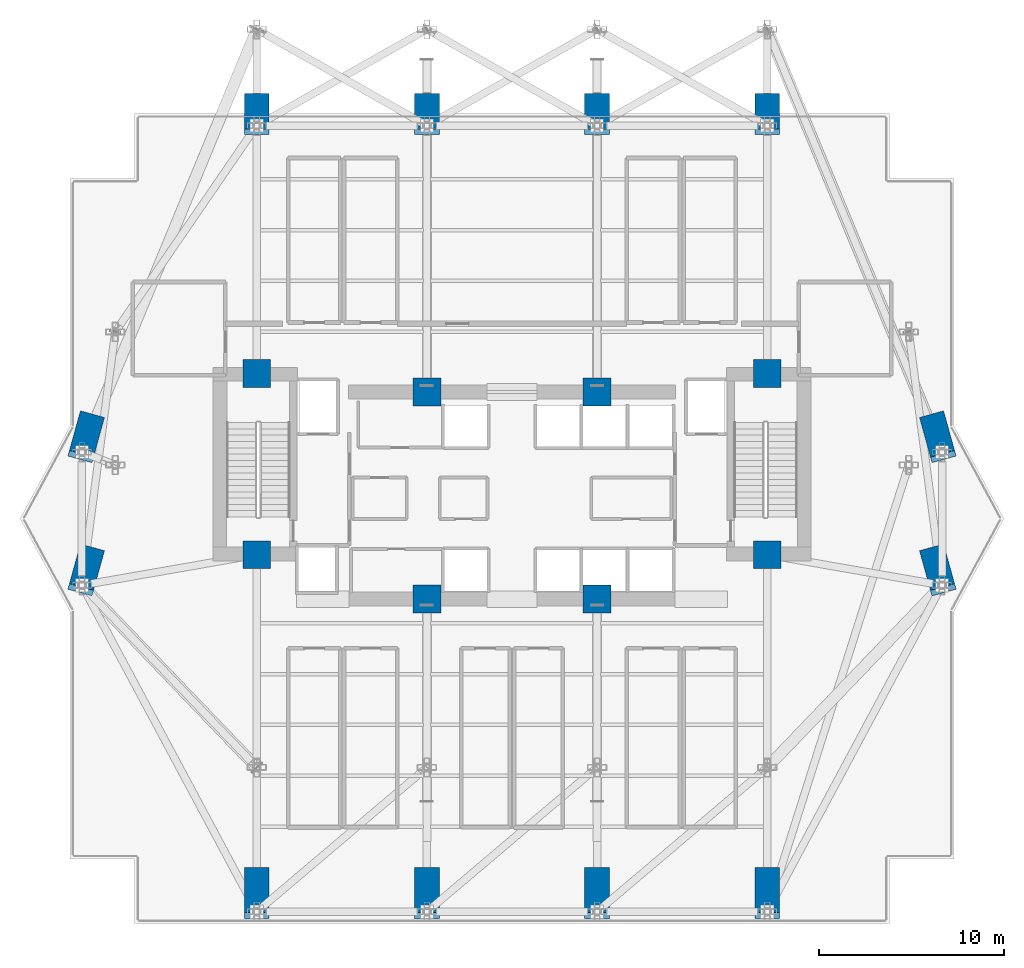
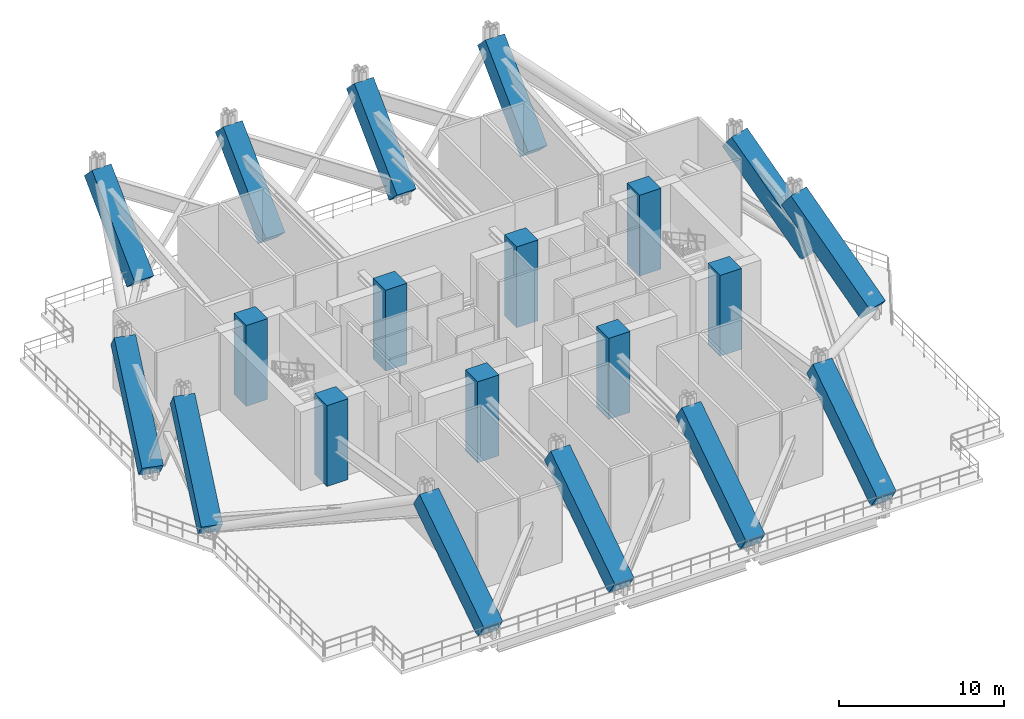
# One storey, part 1 of 18: 20 columns.
"""IFC4 building model written with IfcOpenShell, lengths in metres."""

import ifcopenshell
import ifcopenshell.guid

model = None  # the IFC model being written
_history = None  # IfcOwnerHistory: only IFC2X3 demands one
_inside = {}  # id of a spatial element -> (the spatial element, [elements in it])
_under = {}  # id of a project, library or spatial element -> (it, [spatial elements below it])
_declared = {}  # id of a project -> (the project, [libraries it declares])
_typed = {}  # id of a type object -> (the type object, [elements of that type])
_made_of = {}  # id of a material, layer set ... -> (it, [elements and type objects made of it])


def new_model(schema):
    """Start an empty IFC model of exactly this schema.

    Asked for "IFC4X3", IfcOpenShell would pick the latest addendum, in which some entities
    have other attributes; the version numbers below select the first issue.
    IFC2X3 requires an IfcOwnerHistory on every rooted entity: one is made here for all.
    """
    global model, _history
    if schema == "IFC4X3":
        model = ifcopenshell.file(schema_version=(4, 3, 0, 0))
    else:
        model = ifcopenshell.file(schema=schema)
    _inside.clear()
    _under.clear()
    _declared.clear()
    _typed.clear()
    _made_of.clear()
    _history = None
    if model.schema == "IFC2X3":
        org = make("IfcOrganization", Name="unknown")
        user = make(
            "IfcPersonAndOrganization",
            ThePerson=make("IfcPerson", FamilyName="unknown"),
            TheOrganization=org,
        )
        app = make(
            "IfcApplication",
            ApplicationDeveloper=org,
            Version="unknown",
            ApplicationFullName="unknown",
            ApplicationIdentifier="unknown",
        )
        _history = make(
            "IfcOwnerHistory",
            OwningUser=user,
            OwningApplication=app,
            ChangeAction="ADDED",
            CreationDate=0,
        )
    return model


def make(cls, **values):
    """One entity of the class cls with the attributes given. An attribute that is None is left unset."""
    return model.create_entity(
        cls, **{name: value for name, value in values.items() if value is not None}
    )


def rooted(cls, **values):
    """An entity with a GlobalId (a new one), such as an element, a storey or a relation."""
    return make(cls, GlobalId=ifcopenshell.guid.new(), OwnerHistory=_history, **values)


def si_unit(unit_type, name, prefix=None):
    """IfcSIUnit, for example si_unit("LENGTHUNIT", "METRE", prefix="MILLI")."""
    return make("IfcSIUnit", UnitType=unit_type, Prefix=prefix, Name=name)


def assignment(units):
    """IfcUnitAssignment: the units of a project."""
    return None if units is None else make("IfcUnitAssignment", Units=units)


def point(xyz):
    """IfcCartesianPoint."""
    return None if xyz is None else make("IfcCartesianPoint", Coordinates=xyz)


def direction(xyz):
    """IfcDirection."""
    return None if xyz is None else make("IfcDirection", DirectionRatios=xyz)


def frame(location, z_axis=None, x_axis=None):
    """IfcAxis2Placement3D, a coordinate frame: its origin and axes. An axis left out is left unset."""
    return make(
        "IfcAxis2Placement3D",
        Location=point(location),
        Axis=direction(z_axis),
        RefDirection=direction(x_axis),
    )


def frame_2d(location, x_axis=None):
    """IfcAxis2Placement2D, a coordinate frame in the plane: its origin and x axis."""
    return make(
        "IfcAxis2Placement2D", Location=point(location), RefDirection=direction(x_axis)
    )


def origin():
    """The frame at (0, 0, 0) with its axes left unset."""
    return frame((0.0, 0.0, 0.0))


def origin_2d():
    """The frame at (0, 0) in the plane with its x axis left unset."""
    return frame_2d((0.0, 0.0))


def place(relative_to, where):
    """IfcLocalPlacement: puts the frame where relative to a parent placement (None: the world)."""
    return make(
        "IfcLocalPlacement", PlacementRelTo=relative_to, RelativePlacement=where
    )


def context(
    kind, dimensions, precision=None, world=None, true_north=None, identifier=None
):
    """IfcGeometricRepresentationContext, for example the 3D "Model" context."""
    return make(
        "IfcGeometricRepresentationContext",
        ContextIdentifier=identifier,
        ContextType=kind,
        CoordinateSpaceDimension=dimensions,
        Precision=precision,
        WorldCoordinateSystem=world,
        TrueNorth=true_north,
    )


def subcontext(parent, identifier, kind, view, scale=None):
    """IfcGeometricRepresentationSubContext, for example "Body" below "Model"."""
    return make(
        "IfcGeometricRepresentationSubContext",
        ContextIdentifier=identifier,
        ContextType=kind,
        ParentContext=parent,
        TargetScale=scale,
        TargetView=view,
    )


def project(units=None, contexts=None):
    """IfcProject with its units and contexts."""
    return rooted(
        "IfcProject",
        Name="project",
        RepresentationContexts=contexts,
        UnitsInContext=assignment(units),
    )


def spatial(cls, under=None, at=None, **own):
    """A site, building, storey or space (cls), placed at a placement, below another one or the project."""
    s = rooted(cls, ObjectPlacement=at, **own)
    if under is not None:
        _under.setdefault(under.id(), (under, []))[1].append(s)
    return s


def profile(cls, at=None, kind="AREA", **sizes):
    """A parametric profile (cls). Its sizes go by their IFC names, for example OverallWidth=200.0."""
    return make(cls, ProfileType=kind, Position=at, **sizes)


def rectangle(**sizes):
    """IfcRectangleProfileDef."""
    return profile("IfcRectangleProfileDef", **sizes)


def extrude(swept, where, along, depth):
    """IfcExtrudedAreaSolid: the profile swept, set in the frame where, extruded along a direction by depth."""
    return make(
        "IfcExtrudedAreaSolid",
        SweptArea=swept,
        Position=where,
        ExtrudedDirection=direction(along),
        Depth=depth,
    )


def shape(context_of_items, identifier, shape_type, items):
    """IfcShapeRepresentation: the items that make up one representation, for example the "Body"."""
    return make(
        "IfcShapeRepresentation",
        ContextOfItems=context_of_items,
        RepresentationIdentifier=identifier,
        RepresentationType=shape_type,
        Items=items,
    )


def material(Name=None, Category=None):
    """IfcMaterial."""
    return make("IfcMaterial", Name=Name, Category=Category)


def material_profile(
    of_material, cross_section, Name=None, Category=None, Priority=None
):
    """IfcMaterialProfile: a cross section and its material."""
    return make(
        "IfcMaterialProfile",
        Name=Name,
        Material=of_material,
        Profile=cross_section,
        Priority=Priority,
        Category=Category,
    )


def profile_set(profiles, Name=None, composite=None):
    """IfcMaterialProfileSet."""
    return make(
        "IfcMaterialProfileSet",
        Name=Name,
        MaterialProfiles=profiles,
        CompositeProfile=composite,
    )


def made_of(thing, what):
    """Note that an element or type object is made of a material, layer set ...; save() writes the relation."""
    if what is not None:
        _made_of.setdefault(what.id(), (what, []))[1].append(thing)
    return thing


def type_object(cls, material=None, **own):
    """A type object (cls), such as IfcWallType, which elements share."""
    return made_of(rooted(cls, **own), material)


def element(
    cls,
    number,
    at=None,
    inside=None,
    cuts=None,
    type_object=None,
    material=None,
    context=None,
    identifier="Body",
    shape_type=None,
    held_by="IfcProductDefinitionShape",
    body=None,
    shapes=None,
    **own,
):
    """One element of the class cls, such as IfcWall. Its Tag is "e" and its number.

    at: its placement. inside: the storey or other place that contains it. cuts: it is an
    opening in that element (IfcRelVoidsElement). A single representation is given by context,
    identifier, shape_type and body (its items); several are given by shapes. held_by: the class
    of the entity that holds the representations. save() writes the other relations.
    """
    e = rooted(cls, Tag="e%d" % number, ObjectPlacement=at, **own)
    if body is not None:
        shapes = [shape(context, identifier, shape_type, body)]
    if shapes is not None:
        e.Representation = make(held_by, Representations=shapes)
    if inside is not None:
        _inside.setdefault(inside.id(), (inside, []))[1].append(e)
    if cuts is not None:
        rooted(
            "IfcRelVoidsElement", RelatingBuildingElement=cuts, RelatedOpeningElement=e
        )
    if type_object is not None:
        _typed.setdefault(type_object.id(), (type_object, []))[1].append(e)
    return made_of(e, material)


def aggregate(whole, parts):
    """IfcRelAggregates: a whole, such as a stair, and the parts it consists of."""
    return rooted("IfcRelAggregates", RelatingObject=whole, RelatedObjects=parts)


def save(model, path):
    """Write the relations noted so far, then the file.

    IfcRelAggregates (storeys below a building ...), IfcRelContainedInSpatialStructure (elements
    in a storey), IfcRelDefinesByType, IfcRelAssociatesMaterial and IfcRelDeclares: one each for
    every whole, place, type object, material and project.
    """
    for whole, parts in _under.values():
        aggregate(whole, parts)
    for where, things in _inside.values():
        rooted(
            "IfcRelContainedInSpatialStructure",
            RelatedElements=things,
            RelatingStructure=where,
        )
    for kind, things in _typed.values():
        rooted("IfcRelDefinesByType", RelatedObjects=things, RelatingType=kind)
    for what, things in _made_of.values():
        rooted("IfcRelAssociatesMaterial", RelatedObjects=things, RelatingMaterial=what)
    for by, libraries in _declared.values():
        rooted("IfcRelDeclares", RelatingContext=by, RelatedDefinitions=libraries)
    model.write(path)


model = new_model("IFC4")

# Units and contexts
model_context = context("Model", 3, precision=1e-05, world=origin(), true_north=direction((0.0, 1.0)))
body_context = subcontext(model_context, "Body", "Model", "MODEL_VIEW")
ifc_project = project(units=[si_unit("LENGTHUNIT", "METRE"), si_unit("AREAUNIT", "SQUARE_METRE"), si_unit("VOLUMEUNIT", "CUBIC_METRE"), si_unit("PLANEANGLEUNIT", "RADIAN"), si_unit("MASSUNIT", "GRAM", prefix="KILO")], contexts=[model_context])

# Site, building, storey
site_placement = place(None, origin())
site = spatial("IfcSite", under=ifc_project, at=site_placement, CompositionType="ELEMENT")
building_placement = place(site_placement, origin())
building = spatial("IfcBuilding", under=site, at=building_placement, Name="Zuhayl Quay Hotel", CompositionType="ELEMENT")
storey_placement = place(building_placement, frame((0.0, 0.0, 162.199951171875)))
storey = spatial("IfcBuildingStorey", under=building, at=storey_placement, Name="L41", CompositionType="ELEMENT", Elevation=162.199951171875)

# Columns
ifc_material = material(Name="Concrete C70/85", Category="concrete")
ifc_material_profile_1 = material_profile(ifc_material, rectangle(XDim=1.5, YDim=1.5, at=origin_2d()), Name="RC1500X1500")
ifc_profile_set_1 = profile_set([ifc_material_profile_1], Name="Concrete C70/85")
column_type_1 = type_object("IfcColumnType", Name="CL_CC1_1500", PredefinedType="COLUMN", material=ifc_profile_set_1)
for number, where, z_axis, x_axis, name in (
    (1, (-13.800048828125, 14.35009765625, 0.0), (0.0, 0.0, 1.0), (1.0, 0.0, 0.0), "L41 Core Column CC_NW"),
    (2, (-4.60009765625, 13.35009765625, 0.0), (0.0, 0.0, 1.0), (1.0, 0.0, 0.0), "L41 Core Column CC_CNW"),
    (3, (4.60009765625, 13.35009765625, 0.0), (0.0, 0.0, 1.0), (1.0, 0.0, 0.0), "L41 Core Column CC_CNE"),
    (4, (13.800048828125, 14.35009765625, 0.0), (0.0, 0.0, 1.0), (1.0, 0.0, 0.0), "L41 Core Column CC_NE"),
    (5, (-13.800048828125, 4.550048828125, 0.0), (0.0, 0.0, 1.0), (1.0, 0.0, 0.0), "L41 Core Column CC_SW"),
    (6, (-4.60009765625, 2.14990234375, 0.0), (0.0, 0.0, 1.0), (1.0, 0.0, 0.0), "L41 Core Column CC_CSW"),
    (7, (4.60009765625, 2.14990234375, 0.0), (0.0, 0.0, 1.0), (1.0, 0.0, 0.0), "L41 Core Column CC_CSE"),
    (8, (13.800048828125, 4.550048828125, 0.0), (0.0, 0.0, 1.0), (1.0, 0.0, 0.0), "L41 Core Column CC_SE"),
):
    element("IfcColumn", number, at=place(storey_placement, frame(where, z_axis=z_axis, x_axis=x_axis)), inside=storey, type_object=column_type_1, Name=name, PredefinedType="COLUMN", context=body_context, shape_type="SweptSolid", body=[
        extrude(rectangle(XDim=1.5, YDim=1.5, at=origin_2d()), origin(), (0.0, 0.0, 1.0), 6.0),
    ])
ifc_material_profile_2 = material_profile(ifc_material, rectangle(XDim=1.35009765625, YDim=1.35009765625, at=origin_2d()), Name="RC1350X1350")
ifc_profile_set_2 = profile_set([ifc_material_profile_2], Name="Concrete C70/85")
column_type_2 = type_object("IfcColumnType", Name="CL_MC2_1350", PredefinedType="COLUMN", material=ifc_profile_set_2)
for number, where, z_axis, x_axis, name in (
    (9, (-13.800048828125, -14.75, 0.429931640625), (0.0, 0.834997777207, 0.550253316264), (-1.0, 0.0, 0.0), "L41 Raked Mega-Column MC_S1"),
    (10, (-4.60009765625, -14.75, 0.429931640625), (0.0, 0.834997777207, 0.550253316264), (-1.0, 0.0, 0.0), "L41 Raked Mega-Column MC_S2"),
    (11, (4.60009765625, -14.75, 0.429931640625), (0.0, 0.834997777207, 0.550253316264), (-1.0, 0.0, 0.0), "L41 Raked Mega-Column MC_S3"),
    (12, (13.800048828125, -14.75, 0.429931640625), (0.0, 0.834997777207, 0.550253316264), (-1.0, 0.0, 0.0), "L41 Raked Mega-Column MC_S4"),
):
    element("IfcColumn", number, at=place(storey_placement, frame(where, z_axis=z_axis, x_axis=x_axis)), inside=storey, type_object=column_type_2, Name=name, PredefinedType="COLUMN", context=body_context, shape_type="SweptSolid", body=[
        extrude(rectangle(XDim=1.35009765625, YDim=1.35009765625, at=origin_2d()), origin(), (0.0, 0.0, 1.0), 9.34130859375),
    ])
for number, where, z_axis, x_axis, name in (
    (13, (-13.800048828125, 27.75, 0.429931640625), (0.0, 0.711185292748, 0.703004608363), (-1.0, 0.0, 0.0), "L41 Raked Mega-Column MC_N1"),
    (14, (-4.60009765625, 27.75, 0.429931640625), (0.0, 0.711185292748, 0.703004608363), (-1.0, 0.0, 0.0), "L41 Raked Mega-Column MC_N2"),
    (15, (4.60009765625, 27.75, 0.429931640625), (0.0, 0.711185292748, 0.703004608363), (-1.0, 0.0, 0.0), "L41 Raked Mega-Column MC_N3"),
    (16, (13.800048828125, 27.75, 0.429931640625), (0.0, 0.711185292748, 0.703004608363), (-1.0, 0.0, 0.0), "L41 Raked Mega-Column MC_N4"),
):
    element("IfcColumn", number, at=place(storey_placement, frame(where, z_axis=z_axis, x_axis=x_axis)), inside=storey, type_object=column_type_2, Name=name, PredefinedType="COLUMN", context=body_context, shape_type="SweptSolid", body=[
        extrude(rectangle(XDim=1.35009765625, YDim=1.35009765625, at=origin_2d()), origin(), (0.0, 0.0, 1.0), 7.311767578125),
    ])
for number, where, z_axis, x_axis, name in (
    (17, (-23.25, 2.89990234375, 0.429931640625), (0.212268755882, 0.766505270122, 0.606144905242), (-0.963728159847, 0.266885806887, 0.0), "L41 Raked Mega-Column MC_W1"),
    (18, (-23.25, 10.10009765625, 0.429931640625), (0.212268755882, 0.766505270122, 0.606144905242), (-0.963728159847, 0.266885806887, 0.0), "L41 Raked Mega-Column MC_W2"),
    (19, (23.25, 2.89990234375, 0.429931640625), (-0.212268755882, 0.766505270122, 0.606144905242), (-0.963728159847, -0.266885806887, 0.0), "L41 Raked Mega-Column MC_E1"),
    (20, (23.25, 10.10009765625, 0.429931640625), (-0.212268755882, 0.766505270122, 0.606144905242), (-0.963728159847, -0.266885806887, 0.0), "L41 Raked Mega-Column MC_E2"),
):
    element("IfcColumn", number, at=place(storey_placement, frame(where, z_axis=z_axis, x_axis=x_axis)), inside=storey, type_object=column_type_2, Name=name, PredefinedType="COLUMN", context=body_context, shape_type="SweptSolid", body=[
        extrude(rectangle(XDim=1.35009765625, YDim=1.35009765625, at=origin_2d()), origin(), (0.0, 0.0, 1.0), 8.47998046875),
    ])

save(model, "model.ifc")
